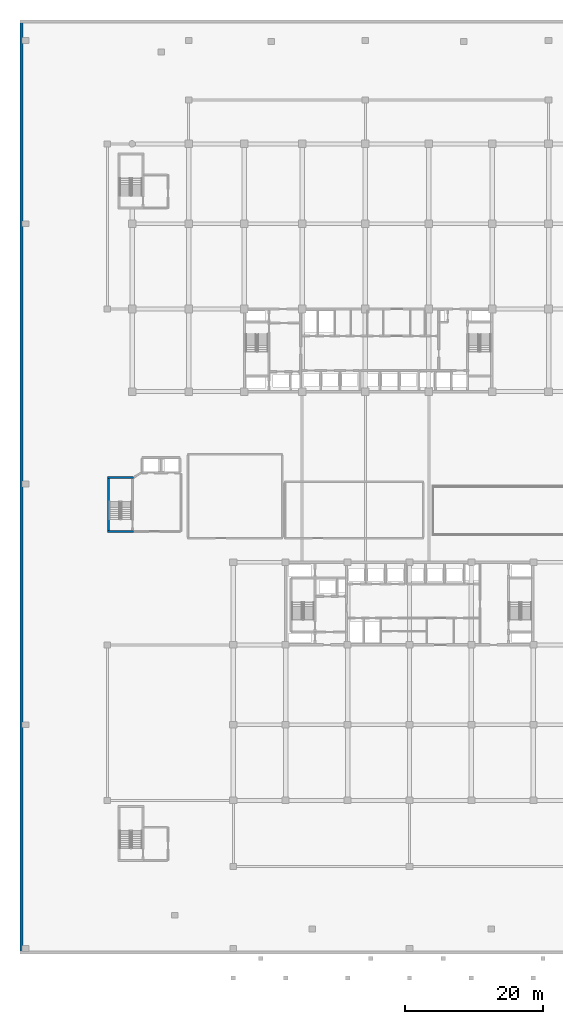
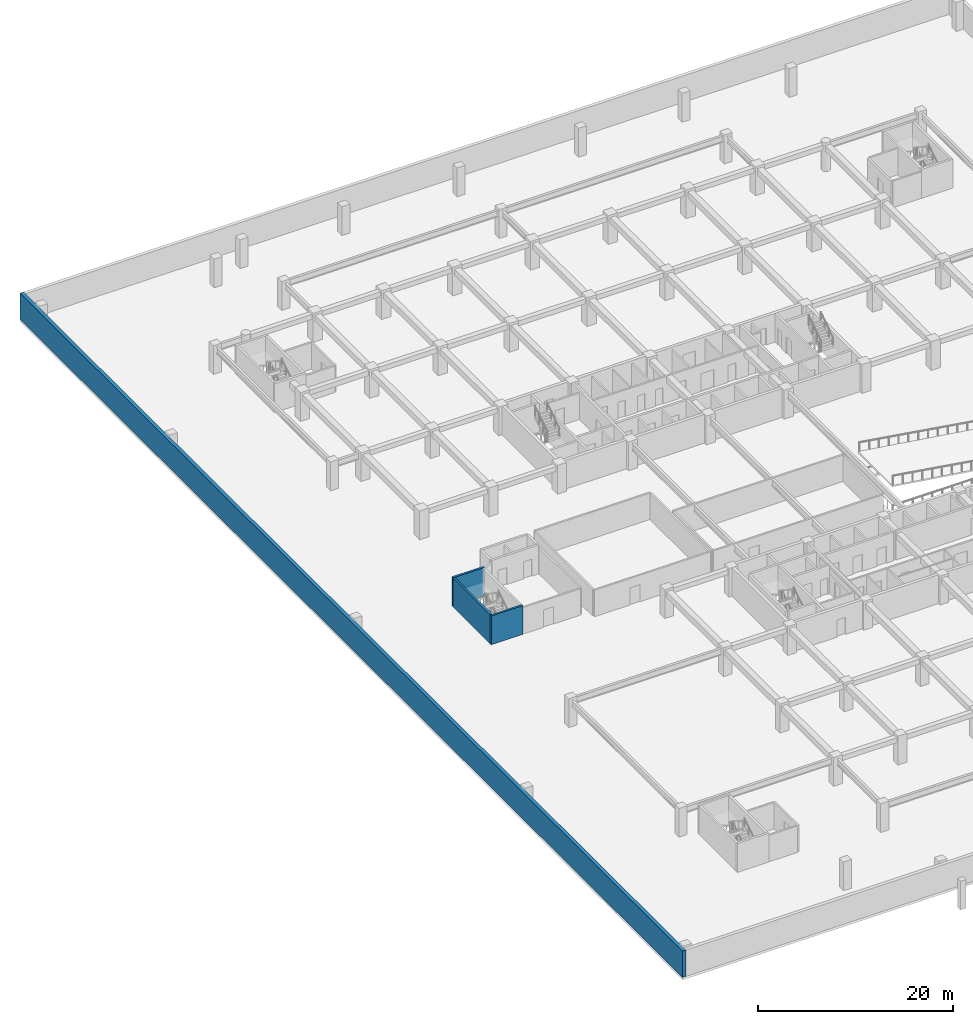
# One storey, part 8 of 22: 4 walls.
"""IFC4 building model written with IfcOpenShell, lengths in metres."""

from ifc_helpers import new_model, si_unit, direction, frame, frame_2d, origin, place, context, subcontext, project, spatial, rectangle, extrude, material, layer, layer_set, type_object, element, save


model = new_model("IFC4")

# Units and contexts
model_context = context("Model", 3, precision=1e-05, world=origin(), true_north=direction((0.0, 1.0)))
body_context = subcontext(model_context, "Body", "Model", "MODEL_VIEW")
ifc_project = project(units=[si_unit("LENGTHUNIT", "METRE"), si_unit("AREAUNIT", "SQUARE_METRE"), si_unit("VOLUMEUNIT", "CUBIC_METRE"), si_unit("PLANEANGLEUNIT", "RADIAN"), si_unit("MASSUNIT", "GRAM", prefix="KILO")], contexts=[model_context])

# Site, building, storey
site_placement = place(None, origin())
site = spatial("IfcSite", under=ifc_project, at=site_placement, CompositionType="ELEMENT")
building_placement = place(site_placement, origin())
building = spatial("IfcBuilding", under=site, at=building_placement, Name="Korimba Cascade Residences", CompositionType="ELEMENT")
storey_placement = place(building_placement, frame((0.0, 0.0, -7.199951171875)))
storey = spatial("IfcBuildingStorey", under=building, at=storey_placement, Name="B02", CompositionType="ELEMENT", Elevation=-7.199951171875)

# Walls
ifc_material = material(Name="Concrete C50/60", Category="concrete")
ifc_layer_1 = layer(ifc_material, 0.39990234375)
ifc_layer_set_1 = layer_set([ifc_layer_1], Name="Concrete C50/60")
wall_type_1 = type_object("IfcWallType", Name="EW-RET-400", PredefinedType="USERDEFINED", material=ifc_layer_set_1)
wall_1_placement = place(storey_placement, frame((43.699951171875, 109.199951171875, 0.0), z_axis=(0.0, 0.0, 1.0), x_axis=(0.0, -1.0, 0.0)))
element("IfcWall", 1, at=wall_1_placement, inside=storey, type_object=wall_type_1, Name="B02 Basement Retaining Wall W", ObjectType="RETAININGWALL", PredefinedType="USERDEFINED", context=body_context, shape_type="SweptSolid", body=[
    extrude(rectangle(XDim=135.699951171875, YDim=0.39990234375, at=frame_2d((67.85009765625, 0.0))), origin(), (0.0, 0.0, 1.0), 3.300048828125),
])
ifc_layer_2 = layer(ifc_material, 0.25)
ifc_layer_set_2 = layer_set([ifc_layer_2], Name="Concrete C50/60")
wall_type_2 = type_object("IfcWallType", Name="WAL-SHAFT-250", PredefinedType="SHEAR", material=ifc_layer_set_2)
wall_2_placement = place(storey_placement, frame((56.375, 35.0, 0.0), z_axis=(0.0, 0.0, 1.0), x_axis=(0.0, 1.0, 0.0)))
element("IfcWall", 2, at=wall_2_placement, inside=storey, type_object=wall_type_2, Name="B02 Core Shear Wall CW-B02-STP1W", PredefinedType="SHEAR", context=body_context, shape_type="SweptSolid", body=[
    extrude(rectangle(XDim=7.60009765625, YDim=0.25, at=frame_2d((3.800048828125, 0.0))), origin(), (0.0, 0.0, 1.0), 3.599853515625),
])
for number, where, z_axis, x_axis, name in (
    (3, (56.25, 42.72509765625, 0.0), (0.0, 0.0, 1.0), (1.0, 0.0, 0.0), "B02 Core Shear Wall CW-B02-STP1N"),
    (4, (56.25, 34.875, 0.0), (0.0, 0.0, 1.0), (1.0, 0.0, 0.0), "B02 Core Shear Wall CW-B02-STP1S"),
):
    element("IfcWall", number, at=place(storey_placement, frame(where, z_axis=z_axis, x_axis=x_axis)), inside=storey, type_object=wall_type_2, Name=name, PredefinedType="SHEAR", context=body_context, shape_type="SweptSolid", body=[
        extrude(rectangle(XDim=3.739990234375, YDim=0.25, at=frame_2d((1.8701171875, 0.0))), origin(), (0.0, 0.0, 1.0), 3.599853515625),
    ])

save(model, "model.ifc")
